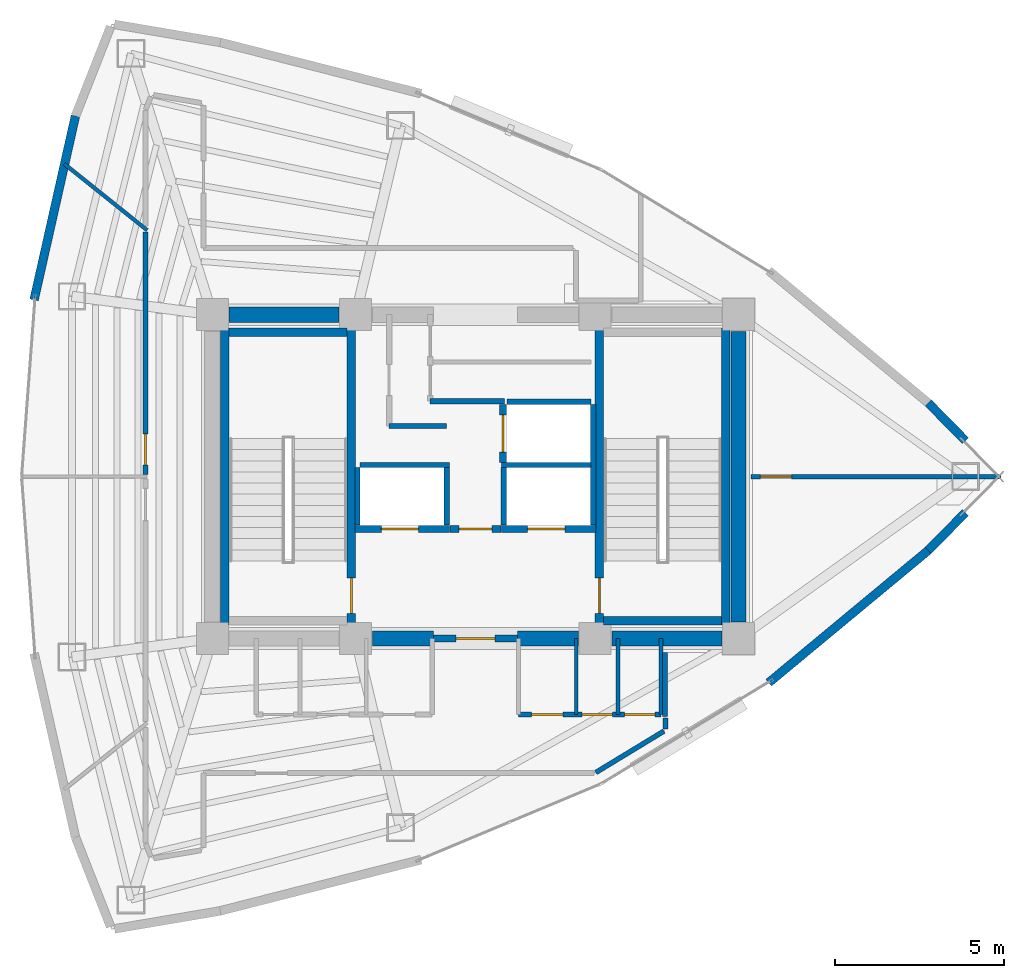
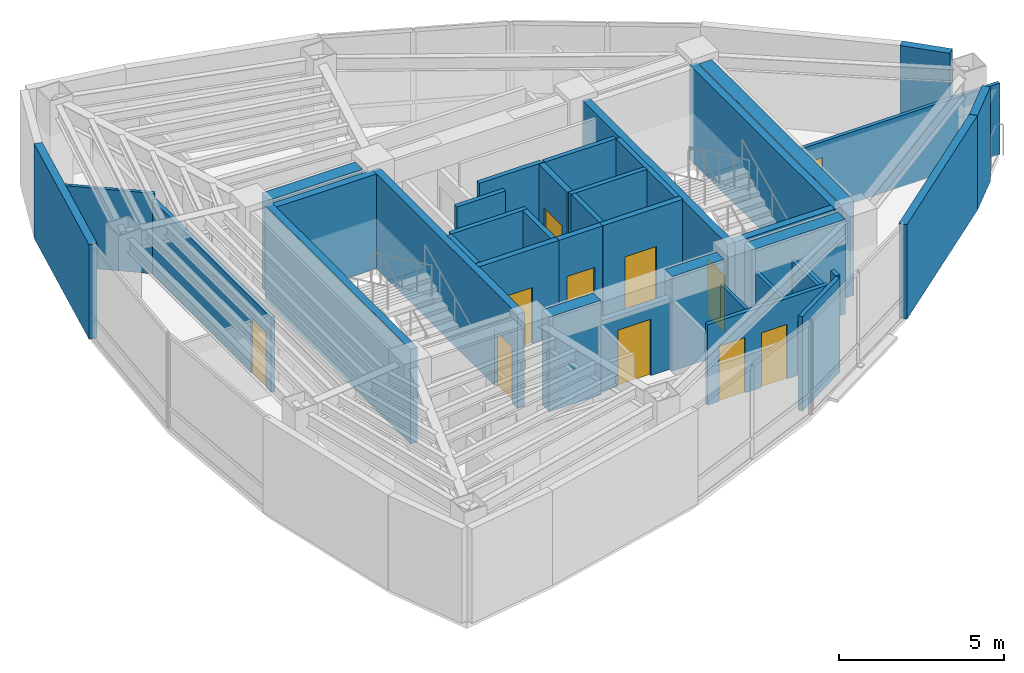
# One storey, part 12 of 15: 39 walls, 12 doors, 12 openings.
"""IFC4 building model written with IfcOpenShell, lengths in metres."""

import ifcopenshell
import ifcopenshell.guid

model = None  # the IFC model being written
_history = None  # IfcOwnerHistory: only IFC2X3 demands one
_inside = {}  # id of a spatial element -> (the spatial element, [elements in it])
_under = {}  # id of a project, library or spatial element -> (it, [spatial elements below it])
_declared = {}  # id of a project -> (the project, [libraries it declares])
_typed = {}  # id of a type object -> (the type object, [elements of that type])
_made_of = {}  # id of a material, layer set ... -> (it, [elements and type objects made of it])


def new_model(schema):
    """Start an empty IFC model of exactly this schema.

    Asked for "IFC4X3", IfcOpenShell would pick the latest addendum, in which some entities
    have other attributes; the version numbers below select the first issue.
    IFC2X3 requires an IfcOwnerHistory on every rooted entity: one is made here for all.
    """
    global model, _history
    if schema == "IFC4X3":
        model = ifcopenshell.file(schema_version=(4, 3, 0, 0))
    else:
        model = ifcopenshell.file(schema=schema)
    _inside.clear()
    _under.clear()
    _declared.clear()
    _typed.clear()
    _made_of.clear()
    _history = None
    if model.schema == "IFC2X3":
        org = make("IfcOrganization", Name="unknown")
        user = make(
            "IfcPersonAndOrganization",
            ThePerson=make("IfcPerson", FamilyName="unknown"),
            TheOrganization=org,
        )
        app = make(
            "IfcApplication",
            ApplicationDeveloper=org,
            Version="unknown",
            ApplicationFullName="unknown",
            ApplicationIdentifier="unknown",
        )
        _history = make(
            "IfcOwnerHistory",
            OwningUser=user,
            OwningApplication=app,
            ChangeAction="ADDED",
            CreationDate=0,
        )
    return model


def make(cls, **values):
    """One entity of the class cls with the attributes given. An attribute that is None is left unset."""
    return model.create_entity(
        cls, **{name: value for name, value in values.items() if value is not None}
    )


def rooted(cls, **values):
    """An entity with a GlobalId (a new one), such as an element, a storey or a relation."""
    return make(cls, GlobalId=ifcopenshell.guid.new(), OwnerHistory=_history, **values)


def si_unit(unit_type, name, prefix=None):
    """IfcSIUnit, for example si_unit("LENGTHUNIT", "METRE", prefix="MILLI")."""
    return make("IfcSIUnit", UnitType=unit_type, Prefix=prefix, Name=name)


def assignment(units):
    """IfcUnitAssignment: the units of a project."""
    return None if units is None else make("IfcUnitAssignment", Units=units)


def point(xyz):
    """IfcCartesianPoint."""
    return None if xyz is None else make("IfcCartesianPoint", Coordinates=xyz)


def direction(xyz):
    """IfcDirection."""
    return None if xyz is None else make("IfcDirection", DirectionRatios=xyz)


def frame(location, z_axis=None, x_axis=None):
    """IfcAxis2Placement3D, a coordinate frame: its origin and axes. An axis left out is left unset."""
    return make(
        "IfcAxis2Placement3D",
        Location=point(location),
        Axis=direction(z_axis),
        RefDirection=direction(x_axis),
    )


def frame_2d(location, x_axis=None):
    """IfcAxis2Placement2D, a coordinate frame in the plane: its origin and x axis."""
    return make(
        "IfcAxis2Placement2D", Location=point(location), RefDirection=direction(x_axis)
    )


def origin():
    """The frame at (0, 0, 0) with its axes left unset."""
    return frame((0.0, 0.0, 0.0))


def place(relative_to, where):
    """IfcLocalPlacement: puts the frame where relative to a parent placement (None: the world)."""
    return make(
        "IfcLocalPlacement", PlacementRelTo=relative_to, RelativePlacement=where
    )


def context(
    kind, dimensions, precision=None, world=None, true_north=None, identifier=None
):
    """IfcGeometricRepresentationContext, for example the 3D "Model" context."""
    return make(
        "IfcGeometricRepresentationContext",
        ContextIdentifier=identifier,
        ContextType=kind,
        CoordinateSpaceDimension=dimensions,
        Precision=precision,
        WorldCoordinateSystem=world,
        TrueNorth=true_north,
    )


def subcontext(parent, identifier, kind, view, scale=None):
    """IfcGeometricRepresentationSubContext, for example "Body" below "Model"."""
    return make(
        "IfcGeometricRepresentationSubContext",
        ContextIdentifier=identifier,
        ContextType=kind,
        ParentContext=parent,
        TargetScale=scale,
        TargetView=view,
    )


def project(units=None, contexts=None):
    """IfcProject with its units and contexts."""
    return rooted(
        "IfcProject",
        Name="project",
        RepresentationContexts=contexts,
        UnitsInContext=assignment(units),
    )


def spatial(cls, under=None, at=None, **own):
    """A site, building, storey or space (cls), placed at a placement, below another one or the project."""
    s = rooted(cls, ObjectPlacement=at, **own)
    if under is not None:
        _under.setdefault(under.id(), (under, []))[1].append(s)
    return s


def profile(cls, at=None, kind="AREA", **sizes):
    """A parametric profile (cls). Its sizes go by their IFC names, for example OverallWidth=200.0."""
    return make(cls, ProfileType=kind, Position=at, **sizes)


def rectangle(**sizes):
    """IfcRectangleProfileDef."""
    return profile("IfcRectangleProfileDef", **sizes)


def extrude(swept, where, along, depth):
    """IfcExtrudedAreaSolid: the profile swept, set in the frame where, extruded along a direction by depth."""
    return make(
        "IfcExtrudedAreaSolid",
        SweptArea=swept,
        Position=where,
        ExtrudedDirection=direction(along),
        Depth=depth,
    )


def shape(context_of_items, identifier, shape_type, items):
    """IfcShapeRepresentation: the items that make up one representation, for example the "Body"."""
    return make(
        "IfcShapeRepresentation",
        ContextOfItems=context_of_items,
        RepresentationIdentifier=identifier,
        RepresentationType=shape_type,
        Items=items,
    )


def material(Name=None, Category=None):
    """IfcMaterial."""
    return make("IfcMaterial", Name=Name, Category=Category)


def layer(
    of_material, thickness, ventilated=None, Name=None, Category=None, Priority=None
):
    """IfcMaterialLayer: one layer of a wall or slab, of a material (None: an air gap)."""
    return make(
        "IfcMaterialLayer",
        Material=of_material,
        LayerThickness=thickness,
        IsVentilated=ventilated,
        Name=Name,
        Category=Category,
        Priority=Priority,
    )


def layer_set(layers, Name=None):
    """IfcMaterialLayerSet."""
    return make("IfcMaterialLayerSet", MaterialLayers=layers, LayerSetName=Name)


def made_of(thing, what):
    """Note that an element or type object is made of a material, layer set ...; save() writes the relation."""
    if what is not None:
        _made_of.setdefault(what.id(), (what, []))[1].append(thing)
    return thing


def type_object(cls, material=None, **own):
    """A type object (cls), such as IfcWallType, which elements share."""
    return made_of(rooted(cls, **own), material)


def element(
    cls,
    number,
    at=None,
    inside=None,
    cuts=None,
    type_object=None,
    material=None,
    context=None,
    identifier="Body",
    shape_type=None,
    held_by="IfcProductDefinitionShape",
    body=None,
    shapes=None,
    **own,
):
    """One element of the class cls, such as IfcWall. Its Tag is "e" and its number.

    at: its placement. inside: the storey or other place that contains it. cuts: it is an
    opening in that element (IfcRelVoidsElement). A single representation is given by context,
    identifier, shape_type and body (its items); several are given by shapes. held_by: the class
    of the entity that holds the representations. save() writes the other relations.
    """
    e = rooted(cls, Tag="e%d" % number, ObjectPlacement=at, **own)
    if body is not None:
        shapes = [shape(context, identifier, shape_type, body)]
    if shapes is not None:
        e.Representation = make(held_by, Representations=shapes)
    if inside is not None:
        _inside.setdefault(inside.id(), (inside, []))[1].append(e)
    if cuts is not None:
        rooted(
            "IfcRelVoidsElement", RelatingBuildingElement=cuts, RelatedOpeningElement=e
        )
    if type_object is not None:
        _typed.setdefault(type_object.id(), (type_object, []))[1].append(e)
    return made_of(e, material)


def fill(opening, filler):
    """IfcRelFillsElement: the door or window that sits in an opening."""
    return rooted(
        "IfcRelFillsElement",
        RelatingOpeningElement=opening,
        RelatedBuildingElement=filler,
    )


def aggregate(whole, parts):
    """IfcRelAggregates: a whole, such as a stair, and the parts it consists of."""
    return rooted("IfcRelAggregates", RelatingObject=whole, RelatedObjects=parts)


def save(model, path):
    """Write the relations noted so far, then the file.

    IfcRelAggregates (storeys below a building ...), IfcRelContainedInSpatialStructure (elements
    in a storey), IfcRelDefinesByType, IfcRelAssociatesMaterial and IfcRelDeclares: one each for
    every whole, place, type object, material and project.
    """
    for whole, parts in _under.values():
        aggregate(whole, parts)
    for where, things in _inside.values():
        rooted(
            "IfcRelContainedInSpatialStructure",
            RelatedElements=things,
            RelatingStructure=where,
        )
    for kind, things in _typed.values():
        rooted("IfcRelDefinesByType", RelatedObjects=things, RelatingType=kind)
    for what, things in _made_of.values():
        rooted("IfcRelAssociatesMaterial", RelatedObjects=things, RelatingMaterial=what)
    for by, libraries in _declared.values():
        rooted("IfcRelDeclares", RelatingContext=by, RelatedDefinitions=libraries)
    model.write(path)


model = new_model("IFC4")

# Units and contexts
model_context = context("Model", 3, precision=1e-05, world=origin(), true_north=direction((0.0, 1.0)))
body_context = subcontext(model_context, "Body", "Model", "MODEL_VIEW")
ifc_project = project(units=[si_unit("LENGTHUNIT", "METRE"), si_unit("AREAUNIT", "SQUARE_METRE"), si_unit("VOLUMEUNIT", "CUBIC_METRE"), si_unit("PLANEANGLEUNIT", "RADIAN"), si_unit("MASSUNIT", "GRAM", prefix="KILO")], contexts=[model_context])

# Site, building, storey
site_placement = place(None, origin())
site = spatial("IfcSite", under=ifc_project, at=site_placement, CompositionType="ELEMENT")
building_placement = place(site_placement, origin())
building = spatial("IfcBuilding", under=site, at=building_placement, Name="Menara Vayukalpa", CompositionType="ELEMENT")
storey_placement = place(building_placement, frame((0.0, 0.0, 258.300048828125)))
storey = spatial("IfcBuildingStorey", under=building, at=storey_placement, Name="L65", CompositionType="ELEMENT", Elevation=258.300048828125)

# Walls
ifc_material_1 = material(Name="Concrete C50/60", Category="concrete")
ifc_layer_1 = layer(ifc_material_1, 0.449951171875)
ifc_layer_set_1 = layer_set([ifc_layer_1], Name="Concrete C50/60")
wall_type_1 = type_object("IfcWallType", Name="WAL-CW450", PredefinedType="SHEAR", material=ifc_layer_set_1)
wall_1_placement = place(storey_placement, frame((22.544921875, 17.199951171875, 0.0), z_axis=(0.0, 0.0, 1.0), x_axis=(1.0, 0.0, 0.0)))
element("IfcWall", 1, at=wall_1_placement, inside=storey, type_object=wall_type_1, Name="L65 Buttressed Core Shear Wall CWS2", PredefinedType="SHEAR", context=body_context, shape_type="SweptSolid", body=[
    extrude(rectangle(XDim=1.80517578125, YDim=0.449951171875, at=frame_2d((0.902587890625, 0.0))), origin(), (0.0, 0.0, 1.0), 3.5),
])
wall_2_placement = place(storey_placement, frame((26.85009765625, 17.199951171875, 0.0), z_axis=(0.0, 0.0, 1.0), x_axis=(1.0, 0.0, 0.0)))
element("IfcWall", 2, at=wall_2_placement, inside=storey, type_object=wall_type_1, Name="L65 Buttressed Core Shear Wall CWS3", PredefinedType="SHEAR", context=body_context, shape_type="SweptSolid", body=[
    extrude(rectangle(XDim=1.804931640625, YDim=0.449951171875, at=frame_2d((0.90234375, 0.0))), origin(), (0.0, 0.0, 1.0), 3.5),
])
for number, where, z_axis, x_axis, name in (
    (3, (29.64501953125, 17.199951171875, 0.0), (0.0, 0.0, 1.0), (1.0, 0.0, 0.0), "L65 Buttressed Core Shear Wall CWS4"),
    (4, (18.294921875, 26.800048828125, 0.0), (0.0, 0.0, 1.0), (1.0, 0.0, 0.0), "L65 Buttressed Core Shear Wall CWN1"),
):
    element("IfcWall", number, at=place(storey_placement, frame(where, z_axis=z_axis, x_axis=x_axis)), inside=storey, type_object=wall_type_1, Name=name, PredefinedType="SHEAR", context=body_context, shape_type="SweptSolid", body=[
        extrude(rectangle(XDim=3.260009765625, YDim=0.449951171875, at=frame_2d((1.6298828125, 0.0))), origin(), (0.0, 0.0, 1.0), 3.5),
    ])
wall_3_placement = place(storey_placement, frame((33.39990234375, 17.695068359375, 0.0), z_axis=(0.0, 0.0, 1.0), x_axis=(0.0, 1.0, 0.0)))
element("IfcWall", 5, at=wall_3_placement, inside=storey, type_object=wall_type_1, Name="L65 Buttressed Core Shear Wall CWE1", PredefinedType="SHEAR", context=body_context, shape_type="SweptSolid", body=[
    extrude(rectangle(XDim=8.60986328125, YDim=0.449951171875, at=frame_2d((4.304931640625, 0.0))), origin(), (0.0, 0.0, 1.0), 3.5),
])
ifc_material_2 = material(Name="Insulated Precast Concrete C40/50", Category="concrete")
ifc_layer_2 = layer(ifc_material_2, 0.260009765625)
ifc_layer_set_2 = layer_set([ifc_layer_2], Name="Insulated Precast Concrete C40/50")
wall_type_2 = type_object("IfcWallType", Name="WAL-EXT260", PredefinedType="PARTITIONING", material=ifc_layer_set_2)
for number, where, z_axis, x_axis, name in (
    (6, (40.1240234375, 20.932861328125, 0.0), (0.0, 0.0, 1.0), (-0.700470648387, -0.71368121087, 0.0), "L65 Perimeter Terracotta Pier Wall 01"),
    (7, (39.023681640625, 24.188232421875, 0.0), (0.0, 0.0, 1.0), (0.700470648387, -0.71368121087, 0.0), "L65 Perimeter Terracotta Pier Wall 02"),
):
    element("IfcWall", number, at=place(storey_placement, frame(where, z_axis=z_axis, x_axis=x_axis)), inside=storey, type_object=wall_type_2, Name=name, PredefinedType="PARTITIONING", context=body_context, shape_type="SweptSolid", body=[
        extrude(rectangle(XDim=1.57080078125, YDim=0.260009765625, at=frame_2d((0.785400390625, 0.0))), origin(), (0.0, 0.0, 1.0), 3.5),
    ])
wall_4_placement = place(storey_placement, frame((12.514892578125, 27.239501953125, 0.0), z_axis=(0.0, 0.0, 1.0), x_axis=(0.219500763731, 0.97561232809, 0.0)))
element("IfcWall", 8, at=wall_4_placement, inside=storey, type_object=wall_type_2, Name="L65 Perimeter Terracotta Pier Wall 09", PredefinedType="PARTITIONING", context=body_context, shape_type="SweptSolid", body=[
    extrude(rectangle(XDim=5.590087890625, YDim=0.260009765625, at=frame_2d((2.794921875, 0.0))), origin(), (0.0, 0.0, 1.0), 3.5),
])
wall_5_placement = place(storey_placement, frame((39.032470703125, 19.81982421875, 0.0), z_axis=(0.0, 0.0, 1.0), x_axis=(-0.769779830138, -0.638309496337, 0.0)))
element("IfcWall", 9, at=wall_5_placement, inside=storey, type_object=wall_type_2, Name="L65 Perimeter Terracotta Pier Wall 18", PredefinedType="PARTITIONING", context=body_context, shape_type="SweptSolid", body=[
    extrude(rectangle(XDim=6.154052734375, YDim=0.260009765625, at=frame_2d((3.0771484375, 0.0))), origin(), (0.0, 0.0, 1.0), 3.5),
])
ifc_material_3 = material(Name="Lightweight Concrete Blockwork C16/20", Category="masonry")
ifc_layer_3 = layer(ifc_material_3, 0.159912109375)
ifc_layer_set_3 = layer_set([ifc_layer_3], Name="Lightweight Concrete Blockwork C16/20")
wall_type_3 = type_object("IfcWallType", Name="WAL-FR150", PredefinedType="PARTITIONING", material=ifc_layer_set_3)
for number, where, z_axis, x_axis, name in (
    (10, (22.10498046875, 20.56005859375, 0.0), (0.0, 0.0, 1.0), (0.0, 1.0, 0.0), "L65 Interior Partition IW-L65-SHW-WW"),
    (11, (24.7548828125, 20.56005859375, 0.0), (0.0, 0.0, 1.0), (0.0, 1.0, 0.0), "L65 Interior Partition IW-L65-SHW-W1E"),
):
    element("IfcWall", number, at=place(storey_placement, frame(where, z_axis=z_axis, x_axis=x_axis)), inside=storey, type_object=wall_type_3, Name=name, PredefinedType="PARTITIONING", context=body_context, shape_type="SweptSolid", body=[
        extrude(rectangle(XDim=1.7099609375, YDim=0.159912109375, at=frame_2d((0.85498046875, 0.0))), origin(), (0.0, 0.0, 1.0), 3.5),
    ])
wall_6_placement = place(storey_placement, frame((22.179931640625, 22.344970703125, 0.0), z_axis=(0.0, 0.0, 1.0), x_axis=(1.0, 0.0, 0.0)))
element("IfcWall", 12, at=wall_6_placement, inside=storey, type_object=wall_type_3, Name="L65 Interior Partition IW-L65-SHM-W12", PredefinedType="PARTITIONING", context=body_context, shape_type="SweptSolid", body=[
    extrude(rectangle(XDim=2.650146484375, YDim=0.159912109375, at=frame_2d((1.3251953125, 0.0))), origin(), (0.0, 0.0, 1.0), 3.5),
])
wall_7_placement = place(storey_placement, frame((29.094970703125, 20.56005859375, 0.0), z_axis=(0.0, 0.0, 1.0), x_axis=(0.0, 1.0, 0.0)))
element("IfcWall", 13, at=wall_7_placement, inside=storey, type_object=wall_type_3, Name="L65 Interior Partition IW-L65-SHW-EE", PredefinedType="PARTITIONING", context=body_context, shape_type="SweptSolid", body=[
    extrude(rectangle(XDim=3.579833984375, YDim=0.159912109375, at=frame_2d((1.7900390625, 0.0))), origin(), (0.0, 0.0, 1.0), 3.5),
])
wall_8_placement = place(storey_placement, frame((26.445068359375, 20.56005859375, 0.0), z_axis=(0.0, 0.0, 1.0), x_axis=(0.0, 1.0, 0.0)))
element("IfcWall", 14, at=wall_8_placement, inside=storey, type_object=wall_type_3, Name="L65 Interior Partition IW-L65-SHW-E1W", PredefinedType="PARTITIONING", context=body_context, shape_type="SweptSolid", body=[
    extrude(rectangle(XDim=1.7099609375, YDim=0.159912109375, at=frame_2d((0.85498046875, 0.0))), origin(), (0.0, 0.0, 1.0), 3.5),
])
wall_9_placement = place(storey_placement, frame((26.3701171875, 22.344970703125, 0.0), z_axis=(0.0, 0.0, 1.0), x_axis=(1.0, 0.0, 0.0)))
element("IfcWall", 15, at=wall_9_placement, inside=storey, type_object=wall_type_3, Name="L65 Interior Partition IW-L65-SHM-E13", PredefinedType="PARTITIONING", context=body_context, shape_type="SweptSolid", body=[
    extrude(rectangle(XDim=2.64990234375, YDim=0.159912109375, at=frame_2d((1.324951171875, 0.0))), origin(), (0.0, 0.0, 1.0), 3.5),
])
wall_10_placement = place(storey_placement, frame((26.530029296875, 24.215087890625, 0.0), z_axis=(0.0, 0.0, 1.0), x_axis=(1.0, 0.0, 0.0)))
element("IfcWall", 16, at=wall_10_placement, inside=storey, type_object=wall_type_3, Name="L65 Interior Partition IW-L65-SHM-E32", PredefinedType="PARTITIONING", context=body_context, shape_type="SweptSolid", body=[
    extrude(rectangle(XDim=2.489990234375, YDim=0.159912109375, at=frame_2d((1.2451171875, 0.0))), origin(), (0.0, 0.0, 1.0), 3.5),
])
wall_11_placement = place(storey_placement, frame((23.0400390625, 23.5, 0.0), z_axis=(0.0, 0.0, 1.0), x_axis=(1.0, 0.0, 0.0)))
element("IfcWall", 17, at=wall_11_placement, inside=storey, type_object=wall_type_3, Name="L65 Interior Partition IW-L65-LV7WA", PredefinedType="PARTITIONING", context=body_context, shape_type="SweptSolid", body=[
    extrude(rectangle(XDim=1.699951171875, YDim=0.159912109375, at=frame_2d((0.85009765625, 0.0))), origin(), (0.0, 0.0, 1.0), 3.5),
])
wall_12_placement = place(storey_placement, frame((24.260009765625, 24.239990234375, 0.0), z_axis=(0.0, 0.0, 1.0), x_axis=(1.0, 0.0, 0.0)))
element("IfcWall", 18, at=wall_12_placement, inside=storey, type_object=wall_type_3, Name="L65 Interior Partition IW-L65-LV7EA", PredefinedType="PARTITIONING", context=body_context, shape_type="SweptSolid", body=[
    extrude(rectangle(XDim=2.199951171875, YDim=0.159912109375, at=frame_2d((1.10009765625, 0.0))), origin(), (0.0, 0.0, 1.0), 3.5),
])

# Wall, opening, door
ifc_material_4 = material(Name="Lightweight Concrete Blockwork C16/20", Category="masonry")
ifc_layer_4 = layer(ifc_material_4, 0.199951171875)
ifc_layer_set_4 = layer_set([ifc_layer_4], Name="Lightweight Concrete Blockwork C16/20")
wall_type_4 = type_object("IfcWallType", Name="WAL-FR200", PredefinedType="PARTITIONING", material=ifc_layer_set_4)
wall_13_placement = place(storey_placement, frame((24.35009765625, 17.199951171875, 0.0), z_axis=(0.0, 0.0, 1.0), x_axis=(1.0, 0.0, 0.0)))
wall_13 = element("IfcWall", 19, at=wall_13_placement, inside=storey, type_object=wall_type_4, Name="L65 Interior Partition IW-L65-FFLS", PredefinedType="PARTITIONING", context=body_context, shape_type="SweptSolid", body=[
    extrude(rectangle(XDim=2.5, YDim=0.199951171875, at=frame_2d((1.25, 0.0))), origin(), (0.0, 0.0, 1.0), 2.6298828125),
])
opening_1_placement = place(wall_13_placement, frame((0.679931640625, 0.0, 0.0)))
opening_1 = element("IfcOpeningElement", 20, at=opening_1_placement, cuts=wall_13, Name="Opening ID2", PredefinedType="OPENING", context=body_context, shape_type="SweptSolid", body=[
    extrude(rectangle(XDim=1.14990234375, YDim=2.080078125, at=frame_2d((0.574951171875, 1.0400390625))), frame((0.0, 0.10986328125, 0.0), z_axis=(0.0, -1.0, 0.0), x_axis=(1.0, 0.0, 0.0)), (0.0, 0.0, 1.0), 0.219970703125),
])
ifc_material_5 = material(Name="Fire-Rated Powder-Coated Steel Door", Category="steel")
door_type_1 = type_object("IfcDoorType", Name="DR-FD60W", OperationType="NOTDEFINED", PredefinedType="DOOR", material=ifc_material_5)
door_1_placement = place(opening_1_placement, origin())
door_1 = element("IfcDoor", 21, at=door_1_placement, inside=storey, type_object=door_type_1, Name="L65 Interior Door DR-L65-FFLS", OperationType="SINGLE_SWING_RIGHT", OverallHeight=2.080078125, OverallWidth=1.14990234375, PredefinedType="DOOR", context=body_context, shape_type="SweptSolid", body=[
    extrude(rectangle(XDim=1.14990234375, YDim=2.080078125, at=frame_2d((0.574951171875, 1.0400390625))), frame((0.0, 0.02490234375, 0.0), z_axis=(0.0, -1.0, 0.0), x_axis=(1.0, 0.0, 0.0)), (0.0, 0.0, 1.0), 0.050048828125),
])
fill(opening_1, door_1)

wall_14_placement = place(storey_placement, frame((24.840087890625, 20.449951171875, 0.0), z_axis=(0.0, 0.0, 1.0), x_axis=(1.0, 0.0, 0.0)))
wall_14 = element("IfcWall", 22, at=wall_14_placement, inside=storey, type_object=wall_type_4, Name="L65 Interior Partition IW-L65-FFLN", PredefinedType="PARTITIONING", context=body_context, shape_type="SweptSolid", body=[
    extrude(rectangle(XDim=1.52001953125, YDim=0.199951171875, at=frame_2d((0.760009765625, 0.0))), origin(), (0.0, 0.0, 1.0), 3.5),
])
opening_2_placement = place(wall_14_placement, frame((0.27001953125, 0.0, 0.0)))
opening_2 = element("IfcOpeningElement", 23, at=opening_2_placement, cuts=wall_14, Name="Opening ID3", PredefinedType="OPENING", context=body_context, shape_type="SweptSolid", body=[
    extrude(rectangle(XDim=0.97998046875, YDim=2.06005859375, at=frame_2d((0.489990234375, 1.030029296875))), frame((0.0, 0.10986328125, 0.0), z_axis=(0.0, -1.0, 0.0), x_axis=(1.0, 0.0, 0.0)), (0.0, 0.0, 1.0), 0.219970703125),
])
ifc_material_6 = material(Name="Fire-Rated Powder-Coated Steel Door", Category="steel")
door_type_2 = type_object("IfcDoorType", Name="DR-FD60", OperationType="NOTDEFINED", PredefinedType="DOOR", material=ifc_material_6)
door_2_placement = place(opening_2_placement, origin())
door_2 = element("IfcDoor", 24, at=door_2_placement, inside=storey, type_object=door_type_2, Name="L65 Interior Door DR-L65-FFLN", OperationType="SINGLE_SWING_LEFT", OverallHeight=2.06005859375, OverallWidth=0.97998046875, PredefinedType="DOOR", context=body_context, shape_type="SweptSolid", body=[
    extrude(rectangle(XDim=0.97998046875, YDim=2.06005859375, at=frame_2d((0.489990234375, 1.030029296875))), frame((0.0, 0.02490234375, 0.0), z_axis=(0.0, -1.0, 0.0), x_axis=(1.0, 0.0, 0.0)), (0.0, 0.0, 1.0), 0.050048828125),
])
fill(opening_2, door_2)

wall_15_placement = place(storey_placement, frame((22.030029296875, 20.449951171875, 0.0), z_axis=(0.0, 0.0, 1.0), x_axis=(1.0, 0.0, 0.0)))
wall_15 = element("IfcWall", 25, at=wall_15_placement, inside=storey, type_object=wall_type_4, Name="L65 Interior Partition IW-L65-SH-W1", PredefinedType="PARTITIONING", context=body_context, shape_type="SweptSolid", body=[
    extrude(rectangle(XDim=2.800048828125, YDim=0.199951171875, at=frame_2d((1.39990234375, 0.0))), origin(), (0.0, 0.0, 1.0), 3.5),
])
opening_3_placement = place(wall_15_placement, frame((0.780029296875, 0.0, 0.0)))
opening_3 = element("IfcOpeningElement", 26, at=opening_3_placement, cuts=wall_15, Name="Opening LD1", PredefinedType="OPENING", context=body_context, shape_type="SweptSolid", body=[
    extrude(rectangle(XDim=1.10009765625, YDim=2.080078125, at=frame_2d((0.550048828125, 1.0400390625))), frame((0.0, 0.10986328125, 0.0), z_axis=(0.0, -1.0, 0.0), x_axis=(1.0, 0.0, 0.0)), (0.0, 0.0, 1.0), 0.219970703125),
])
ifc_material_7 = material(Name="Brushed Stainless Steel 316 Lift Door", Category="steel")
door_type_3 = type_object("IfcDoorType", Name="DR-LD110", OperationType="NOTDEFINED", PredefinedType="DOOR", material=ifc_material_7)
door_3_placement = place(opening_3_placement, origin())
door_3 = element("IfcDoor", 27, at=door_3_placement, inside=storey, type_object=door_type_3, Name="L65 Interior Door DR-L65-LD-W1", OperationType="DOUBLE_DOOR_SLIDING", OverallHeight=2.080078125, OverallWidth=1.10009765625, PredefinedType="DOOR", context=body_context, shape_type="SweptSolid", body=[
    extrude(rectangle(XDim=1.10009765625, YDim=2.080078125, at=frame_2d((0.550048828125, 1.0400390625))), frame((0.0, 0.02490234375, 0.0), z_axis=(0.0, -1.0, 0.0), x_axis=(1.0, 0.0, 0.0)), (0.0, 0.0, 1.0), 0.050048828125),
])
fill(opening_3, door_3)

wall_16_placement = place(storey_placement, frame((26.3701171875, 20.449951171875, 0.0), z_axis=(0.0, 0.0, 1.0), x_axis=(1.0, 0.0, 0.0)))
wall_16 = element("IfcWall", 28, at=wall_16_placement, inside=storey, type_object=wall_type_4, Name="L65 Interior Partition IW-L65-SH-E1", PredefinedType="PARTITIONING", context=body_context, shape_type="SweptSolid", body=[
    extrude(rectangle(XDim=2.7998046875, YDim=0.199951171875, at=frame_2d((1.39990234375, 0.0))), origin(), (0.0, 0.0, 1.0), 3.5),
])
opening_4_placement = place(wall_16_placement, frame((0.780029296875, 0.0, 0.0)))
opening_4 = element("IfcOpeningElement", 29, at=opening_4_placement, cuts=wall_16, Name="Opening LD1", PredefinedType="OPENING", context=body_context, shape_type="SweptSolid", body=[
    extrude(rectangle(XDim=1.10009765625, YDim=2.080078125, at=frame_2d((0.550048828125, 1.0400390625))), frame((0.0, 0.10986328125, 0.0), z_axis=(0.0, -1.0, 0.0), x_axis=(1.0, 0.0, 0.0)), (0.0, 0.0, 1.0), 0.219970703125),
])
door_4_placement = place(opening_4_placement, origin())
door_4 = element("IfcDoor", 30, at=door_4_placement, inside=storey, type_object=door_type_3, Name="L65 Interior Door DR-L65-LD-E1", OperationType="DOUBLE_DOOR_SLIDING", OverallHeight=2.080078125, OverallWidth=1.10009765625, PredefinedType="DOOR", context=body_context, shape_type="SweptSolid", body=[
    extrude(rectangle(XDim=1.10009765625, YDim=2.080078125, at=frame_2d((0.550048828125, 1.0400390625))), frame((0.0, 0.02490234375, 0.0), z_axis=(0.0, -1.0, 0.0), x_axis=(1.0, 0.0, 0.0)), (0.0, 0.0, 1.0), 0.050048828125),
])
fill(opening_4, door_4)

wall_17_placement = place(storey_placement, frame((26.419921875, 22.419921875, 0.0), z_axis=(0.0, 0.0, 1.0), x_axis=(0.0, 1.0, 0.0)))
wall_17 = element("IfcWall", 31, at=wall_17_placement, inside=storey, type_object=wall_type_4, Name="L65 Interior Partition IW-L65-SH-E3", PredefinedType="PARTITIONING", context=body_context, shape_type="SweptSolid", body=[
    extrude(rectangle(XDim=1.719970703125, YDim=0.199951171875, at=frame_2d((0.85986328125, 0.0))), origin(), (0.0, 0.0, 1.0), 3.5),
])
opening_5_placement = place(wall_17_placement, frame((0.31005859375, 0.0, 0.0)))
opening_5 = element("IfcOpeningElement", 32, at=opening_5_placement, cuts=wall_17, Name="Opening LD1", PredefinedType="OPENING", context=body_context, shape_type="SweptSolid", body=[
    extrude(rectangle(XDim=1.10009765625, YDim=2.080078125, at=frame_2d((0.550048828125, 1.0400390625))), frame((0.0, 0.10986328125, 0.0), z_axis=(0.0, -1.0, 0.0), x_axis=(1.0, 0.0, 0.0)), (0.0, 0.0, 1.0), 0.219970703125),
])
door_5_placement = place(opening_5_placement, origin())
door_5 = element("IfcDoor", 33, at=door_5_placement, inside=storey, type_object=door_type_3, Name="L65 Interior Door DR-L65-LD-E3", OperationType="DOUBLE_DOOR_SLIDING", OverallHeight=2.080078125, OverallWidth=1.10009765625, PredefinedType="DOOR", context=body_context, shape_type="SweptSolid", body=[
    extrude(rectangle(XDim=1.10009765625, YDim=2.080078125, at=frame_2d((0.550048828125, 1.0400390625))), frame((0.0, 0.02490234375, 0.0), z_axis=(0.0, -1.0, 0.0), x_axis=(1.0, 0.0, 0.0)), (0.0, 0.0, 1.0), 0.050048828125),
])
fill(opening_5, door_5)

# Walls
ifc_material_8 = material(Name="Acoustic Mineral Stud Partition", Category="masonry")
ifc_layer_5 = layer(ifc_material_8, 0.110107421875)
ifc_layer_set_5 = layer_set([ifc_layer_5], Name="Acoustic Mineral Stud Partition")
wall_type_5 = type_object("IfcWallType", Name="WAL-PT110", PredefinedType="PARTITIONING", material=ifc_layer_set_5)
wall_18_placement = place(storey_placement, frame((28.590087890625, 14.949951171875, 0.0), z_axis=(0.0, 0.0, 1.0), x_axis=(0.0, 1.0, 0.0)))
element("IfcWall", 34, at=wall_18_placement, inside=storey, type_object=wall_type_5, Name="L65 Interior Partition IW-L65-SVCD-06", PredefinedType="PARTITIONING", context=body_context, shape_type="SweptSolid", body=[
    extrude(rectangle(XDim=2.25, YDim=0.110107421875, at=frame_2d((1.125, 0.0))), origin(), (0.0, 0.0, 1.0), 2.6298828125),
])
wall_19_placement = place(storey_placement, frame((13.41162109375, 31.270751953125, 0.0), z_axis=(0.0, 0.0, 1.0), x_axis=(0.780868809443, -0.624695047554, 0.0)))
element("IfcWall", 35, at=wall_19_placement, inside=storey, type_object=wall_type_5, Name="L65 Interior Partition IW-L65-RDIV05", PredefinedType="PARTITIONING", context=body_context, shape_type="SweptSolid", body=[
    extrude(rectangle(XDim=3.1484375, YDim=0.110107421875, at=frame_2d((1.57421875, 0.0))), origin(), (0.0, 0.0, 1.0), 2.97998046875),
])
ifc_material_9 = material(Name="Gypsum Drywall Steel Stud Assembly", Category="steel")
ifc_layer_6 = layer(ifc_material_9, 0.125)
ifc_layer_set_6 = layer_set([ifc_layer_6], Name="Gypsum Drywall Steel Stud Assembly")
wall_type_6 = type_object("IfcWallType", Name="WAL-PT125", PredefinedType="PARTITIONING", material=ifc_layer_set_6)
for number, where, z_axis, x_axis, name in (
    (36, (29.830078125, 14.949951171875, 0.0), (0.0, 0.0, 1.0), (0.0, 1.0, 0.0), "L65 Interior Partition IW-L65-SVCD-07"),
    (37, (31.10009765625, 14.949951171875, 0.0), (0.0, 0.0, 1.0), (0.0, 1.0, 0.0), "L65 Interior Partition IW-L65-SVCD-08"),
):
    element("IfcWall", number, at=place(storey_placement, frame(where, z_axis=z_axis, x_axis=x_axis)), inside=storey, type_object=wall_type_6, Name=name, PredefinedType="PARTITIONING", context=body_context, shape_type="SweptSolid", body=[
        extrude(rectangle(XDim=2.25, YDim=0.125, at=frame_2d((1.125, 0.0))), origin(), (0.0, 0.0, 1.0), 2.6298828125),
    ])

# Wall, opening, door
wall_20_placement = place(storey_placement, frame((33.77001953125, 22.0, 0.0), z_axis=(0.0, 0.0, 1.0), x_axis=(1.0, 0.0, 0.0)))
wall_20 = element("IfcWall", 38, at=wall_20_placement, inside=storey, type_object=wall_type_6, Name="L65 Interior Partition IW-L65-RDIV03", PredefinedType="PARTITIONING", context=body_context, shape_type="SweptSolid", body=[
    extrude(rectangle(XDim=7.411865234375, YDim=0.125, at=frame_2d((3.7060546875, 0.0))), origin(), (0.0, 0.0, 1.0), 2.6298828125),
])
opening_6_placement = place(wall_20_placement, frame((0.280029296875, 0.0, 0.0)))
opening_6 = element("IfcOpeningElement", 39, at=opening_6_placement, cuts=wall_20, Name="Opening ID6", PredefinedType="OPENING", context=body_context, shape_type="SweptSolid", body=[
    extrude(rectangle(XDim=0.919921875, YDim=2.050048828125, at=frame_2d((0.4599609375, 1.02490234375))), frame((0.0, 0.072509765625, 0.0), z_axis=(0.0, -1.0, 0.0), x_axis=(1.0, 0.0, 0.0)), (0.0, 0.0, 1.0), 0.14501953125),
])
ifc_material_10 = material(Name="Acoustic Hardwood Veneer Timber Door", Category="wood")
door_type_4 = type_object("IfcDoorType", Name="DR-INT92", OperationType="NOTDEFINED", PredefinedType="DOOR", material=ifc_material_10)
door_6_placement = place(opening_6_placement, origin())
door_6 = element("IfcDoor", 40, at=door_6_placement, inside=storey, type_object=door_type_4, Name="L65 Interior Door DR-L65-STE04", OperationType="SINGLE_SWING_LEFT", OverallHeight=2.050048828125, OverallWidth=0.919921875, PredefinedType="DOOR", context=body_context, shape_type="SweptSolid", body=[
    extrude(rectangle(XDim=0.919921875, YDim=2.050048828125, at=frame_2d((0.4599609375, 1.02490234375))), frame((0.0, 0.02490234375, 0.0), z_axis=(0.0, -1.0, 0.0), x_axis=(1.0, 0.0, 0.0)), (0.0, 0.0, 1.0), 0.050048828125),
])
fill(opening_6, door_6)

# Wall, openings, doors
ifc_material_11 = material(Name="Gypsum Drywall Acoustic Stud Assembly", Category="masonry")
ifc_layer_7 = layer(ifc_material_11, 0.14501953125)
ifc_layer_set_7 = layer_set([ifc_layer_7], Name="Gypsum Drywall Acoustic Stud Assembly")
wall_type_7 = type_object("IfcWallType", Name="WAL-PT150", PredefinedType="PARTITIONING", material=ifc_layer_set_7)
wall_21_placement = place(storey_placement, frame((26.8798828125, 14.949951171875, 0.0), z_axis=(0.0, 0.0, 1.0), x_axis=(1.0, 0.0, 0.0)))
wall_21 = element("IfcWall", 41, at=wall_21_placement, inside=storey, type_object=wall_type_7, Name="L65 Interior Partition IW-L65-SVCS-E", PredefinedType="PARTITIONING", context=body_context, shape_type="SweptSolid", body=[
    extrude(rectangle(XDim=4.22021484375, YDim=0.14501953125, at=frame_2d((2.110107421875, 0.0))), origin(), (0.0, 0.0, 1.0), 2.97998046875),
])
opening_7_placement = place(wall_21_placement, frame((0.389892578125, 0.0, 0.0)))
opening_7 = element("IfcOpeningElement", 42, at=opening_7_placement, cuts=wall_21, Name="Opening ID6", PredefinedType="OPENING", context=body_context, shape_type="SweptSolid", body=[
    extrude(rectangle(XDim=0.919921875, YDim=2.050048828125, at=frame_2d((0.4599609375, 1.02490234375))), frame((0.0, 0.08251953125, 0.0), z_axis=(0.0, -1.0, 0.0), x_axis=(1.0, 0.0, 0.0)), (0.0, 0.0, 1.0), 0.1650390625),
])
opening_8_placement = place(wall_21_placement, frame((1.8798828125, 0.0, 0.0)))
opening_8 = element("IfcOpeningElement", 43, at=opening_8_placement, cuts=wall_21, Name="Opening ID7", PredefinedType="OPENING", context=body_context, shape_type="SweptSolid", body=[
    extrude(rectangle(XDim=0.89990234375, YDim=2.02001953125, at=frame_2d((0.449951171875, 1.010009765625))), frame((0.0, 0.08251953125, 0.0), z_axis=(0.0, -1.0, 0.0), x_axis=(1.0, 0.0, 0.0)), (0.0, 0.0, 1.0), 0.1650390625),
])
opening_9_placement = place(wall_21_placement, frame((3.139892578125, 0.0, 0.0)))
opening_9 = element("IfcOpeningElement", 44, at=opening_9_placement, cuts=wall_21, Name="Opening ID7", PredefinedType="OPENING", context=body_context, shape_type="SweptSolid", body=[
    extrude(rectangle(XDim=0.89990234375, YDim=2.02001953125, at=frame_2d((0.449951171875, 1.010009765625))), frame((0.0, 0.08251953125, 0.0), z_axis=(0.0, -1.0, 0.0), x_axis=(1.0, 0.0, 0.0)), (0.0, 0.0, 1.0), 0.1650390625),
])
door_7_placement = place(opening_7_placement, origin())
door_7 = element("IfcDoor", 45, at=door_7_placement, inside=storey, type_object=door_type_4, Name="L65 Interior Door DR-L65-KSV1", OperationType="SINGLE_SWING_RIGHT", OverallHeight=2.050048828125, OverallWidth=0.919921875, PredefinedType="DOOR", context=body_context, shape_type="SweptSolid", body=[
    extrude(rectangle(XDim=0.919921875, YDim=2.050048828125, at=frame_2d((0.4599609375, 1.02490234375))), frame((0.0, 0.02490234375, 0.0), z_axis=(0.0, -1.0, 0.0), x_axis=(1.0, 0.0, 0.0)), (0.0, 0.0, 1.0), 0.050048828125),
])
fill(opening_7, door_7)
ifc_material_12 = material(Name="Powder-Coated Steel Riser Access Door", Category="steel")
door_type_5 = type_object("IfcDoorType", Name="DR-RISER", OperationType="NOTDEFINED", PredefinedType="DOOR", material=ifc_material_12)
door_8_placement = place(opening_8_placement, origin())
door_8 = element("IfcDoor", 46, at=door_8_placement, inside=storey, type_object=door_type_5, Name="L65 Interior Door DR-L65-KSV2", OperationType="SINGLE_SWING_LEFT", OverallHeight=2.02001953125, OverallWidth=0.89990234375, PredefinedType="DOOR", context=body_context, shape_type="SweptSolid", body=[
    extrude(rectangle(XDim=0.89990234375, YDim=2.02001953125, at=frame_2d((0.449951171875, 1.010009765625))), frame((0.0, 0.02490234375, 0.0), z_axis=(0.0, -1.0, 0.0), x_axis=(1.0, 0.0, 0.0)), (0.0, 0.0, 1.0), 0.050048828125),
])
fill(opening_8, door_8)
door_9_placement = place(opening_9_placement, origin())
door_9 = element("IfcDoor", 47, at=door_9_placement, inside=storey, type_object=door_type_5, Name="L65 Interior Door DR-L65-SMD", OperationType="SINGLE_SWING_RIGHT", OverallHeight=2.02001953125, OverallWidth=0.89990234375, PredefinedType="DOOR", context=body_context, shape_type="SweptSolid", body=[
    extrude(rectangle(XDim=0.89990234375, YDim=2.02001953125, at=frame_2d((0.449951171875, 1.010009765625))), frame((0.0, 0.02490234375, 0.0), z_axis=(0.0, -1.0, 0.0), x_axis=(1.0, 0.0, 0.0)), (0.0, 0.0, 1.0), 0.050048828125),
])
fill(opening_9, door_9)

# Walls
wall_22_placement = place(storey_placement, frame((29.167724609375, 13.228515625, 0.0), z_axis=(0.0, 0.0, 1.0), x_axis=(0.854678044033, 0.519158396876, 0.0)))
element("IfcWall", 48, at=wall_22_placement, inside=storey, type_object=wall_type_7, Name="L65 Interior Partition IW-L65-CRM03-6", PredefinedType="PARTITIONING", context=body_context, shape_type="SweptSolid", body=[
    extrude(rectangle(XDim=2.36767578125, YDim=0.14501953125, at=frame_2d((1.183837890625, 0.0))), origin(), (0.0, 0.0, 1.0), 3.5),
])
wall_23_placement = place(storey_placement, frame((31.22998046875, 14.526123046875, 0.0), z_axis=(0.0, 0.0, 1.0), x_axis=(0.0, 1.0, 0.0)))
element("IfcWall", 49, at=wall_23_placement, inside=storey, type_object=wall_type_7, Name="L65 Interior Partition IW-L65-CRM03-7", PredefinedType="PARTITIONING", context=body_context, shape_type="SweptSolid", body=[
    extrude(rectangle(XDim=0.323974609375, YDim=0.14501953125, at=frame_2d((0.162109375, 0.0))), origin(), (0.0, 0.0, 1.0), 3.5),
])
wall_24_placement = place(storey_placement, frame((31.219970703125, 14.888671875, 0.0), z_axis=(0.0, 0.0, 1.0), x_axis=(0.0, 1.0, 0.0)))
element("IfcWall", 50, at=wall_24_placement, inside=storey, type_object=wall_type_7, Name="L65 Interior Partition IW-L65-CRM03-8", PredefinedType="PARTITIONING", context=body_context, shape_type="SweptSolid", body=[
    extrude(rectangle(XDim=1.891357421875, YDim=0.14501953125, at=frame_2d((0.94580078125, 0.0))), origin(), (0.0, 0.0, 1.0), 2.6298828125),
])

# Wall, opening, door
wall_25_placement = place(storey_placement, frame((15.820068359375, 29.25439453125, 0.0), z_axis=(0.0, 0.0, 1.0), x_axis=(0.0, -1.0, 0.0)))
wall_25 = element("IfcWall", 51, at=wall_25_placement, inside=storey, type_object=wall_type_7, Name="L65 Interior Partition IW-L65-CRM06-1", PredefinedType="PARTITIONING", context=body_context, shape_type="SweptSolid", body=[
    extrude(rectangle(XDim=7.184326171875, YDim=0.14501953125, at=frame_2d((3.59228515625, 0.0))), origin(), (0.0, 0.0, 1.0), 2.780029296875),
])
opening_10_placement = place(wall_25_placement, frame((5.984375, 0.0, 0.0)))
opening_10 = element("IfcOpeningElement", 52, at=opening_10_placement, cuts=wall_25, Name="Opening ID6", PredefinedType="OPENING", context=body_context, shape_type="SweptSolid", body=[
    extrude(rectangle(XDim=0.919921875, YDim=2.050048828125, at=frame_2d((0.4599609375, 1.02490234375))), frame((0.0, 0.08251953125, 0.0), z_axis=(0.0, -1.0, 0.0), x_axis=(1.0, 0.0, 0.0)), (0.0, 0.0, 1.0), 0.1650390625),
])
door_10_placement = place(opening_10_placement, origin())
door_10 = element("IfcDoor", 53, at=door_10_placement, inside=storey, type_object=door_type_4, Name="L65 Interior Door DR-L65-RM06", OperationType="SINGLE_SWING_RIGHT", OverallHeight=2.050048828125, OverallWidth=0.919921875, PredefinedType="DOOR", context=body_context, shape_type="SweptSolid", body=[
    extrude(rectangle(XDim=0.919921875, YDim=2.050048828125, at=frame_2d((0.4599609375, 1.02490234375))), frame((0.0, 0.02490234375, 0.0), z_axis=(0.0, -1.0, 0.0), x_axis=(1.0, 0.0, 0.0)), (0.0, 0.0, 1.0), 0.050048828125),
])
fill(opening_10, door_10)

# Wall
ifc_material_13 = material(Name="Concrete C50/60", Category="concrete")
ifc_layer_8 = layer(ifc_material_13, 0.25)
ifc_layer_set_8 = layer_set([ifc_layer_8], Name="Concrete C50/60")
wall_type_8 = type_object("IfcWallType", Name="WAL-SW250", PredefinedType="SHEAR", material=ifc_layer_set_8)
wall_26_placement = place(storey_placement, frame((18.175048828125, 17.60009765625, 0.0), z_axis=(0.0, 0.0, 1.0), x_axis=(0.0, 1.0, 0.0)))
element("IfcWall", 54, at=wall_26_placement, inside=storey, type_object=wall_type_8, Name="L65 ST1 Structural Stair Shaft Wall W", PredefinedType="SHEAR", context=body_context, shape_type="SweptSolid", body=[
    extrude(rectangle(XDim=8.7998046875, YDim=0.25, at=frame_2d((4.39990234375, 0.0))), origin(), (0.0, 0.0, 1.0), 3.5),
])

# Wall, opening, door
wall_27_placement = place(storey_placement, frame((21.925048828125, 17.60009765625, 0.0), z_axis=(0.0, 0.0, 1.0), x_axis=(0.0, 1.0, 0.0)))
wall_27 = element("IfcWall", 55, at=wall_27_placement, inside=storey, type_object=wall_type_8, Name="L65 ST1 Structural Stair Shaft Wall E", PredefinedType="SHEAR", context=body_context, shape_type="SweptSolid", body=[
    extrude(rectangle(XDim=8.7998046875, YDim=0.25, at=frame_2d((4.39990234375, 0.0))), origin(), (0.0, 0.0, 1.0), 3.5),
])
opening_11_placement = place(wall_27_placement, frame((0.35009765625, 0.0, 0.0)))
opening_11 = element("IfcOpeningElement", 56, at=opening_11_placement, cuts=wall_27, Name="Opening ID1", PredefinedType="OPENING", context=body_context, shape_type="SweptSolid", body=[
    extrude(rectangle(XDim=1.050048828125, YDim=2.080078125, at=frame_2d((0.52490234375, 1.0400390625))), frame((0.0, 0.135009765625, 0.0), z_axis=(0.0, -1.0, 0.0), x_axis=(1.0, 0.0, 0.0)), (0.0, 0.0, 1.0), 0.27001953125),
])
ifc_material_14 = material(Name="Fire-Rated Powder-Coated Steel Door", Category="steel")
door_type_6 = type_object("IfcDoorType", Name="DR-FD120", OperationType="NOTDEFINED", PredefinedType="DOOR", material=ifc_material_14)
door_11_placement = place(opening_11_placement, origin())
door_11 = element("IfcDoor", 57, at=door_11_placement, inside=storey, type_object=door_type_6, Name="L65 Stair Exit Door DR-L65-ST1", OperationType="SINGLE_SWING_LEFT", OverallHeight=2.080078125, OverallWidth=1.050048828125, PredefinedType="DOOR", context=body_context, shape_type="SweptSolid", body=[
    extrude(rectangle(XDim=1.050048828125, YDim=2.080078125, at=frame_2d((0.52490234375, 1.0400390625))), frame((0.0, 0.02490234375, 0.0), z_axis=(0.0, -1.0, 0.0), x_axis=(1.0, 0.0, 0.0)), (0.0, 0.0, 1.0), 0.050048828125),
])
fill(opening_11, door_11)

# Wall
wall_28_placement = place(storey_placement, frame((18.300048828125, 26.27490234375, 0.0), z_axis=(0.0, 0.0, 1.0), x_axis=(1.0, 0.0, 0.0)))
element("IfcWall", 58, at=wall_28_placement, inside=storey, type_object=wall_type_8, Name="L65 ST1 Structural Stair Shaft Wall N", PredefinedType="SHEAR", context=body_context, shape_type="SweptSolid", body=[
    extrude(rectangle(XDim=3.5, YDim=0.25, at=frame_2d((1.75, 0.0))), origin(), (0.0, 0.0, 1.0), 3.5),
])

# Wall, opening, door
wall_29_placement = place(storey_placement, frame((29.27490234375, 17.60009765625, 0.0), z_axis=(0.0, 0.0, 1.0), x_axis=(0.0, 1.0, 0.0)))
wall_29 = element("IfcWall", 59, at=wall_29_placement, inside=storey, type_object=wall_type_8, Name="L65 ST2 Structural Stair Shaft Wall W", PredefinedType="SHEAR", context=body_context, shape_type="SweptSolid", body=[
    extrude(rectangle(XDim=8.7998046875, YDim=0.25, at=frame_2d((4.39990234375, 0.0))), origin(), (0.0, 0.0, 1.0), 3.5),
])
opening_12_placement = place(wall_29_placement, frame((0.35009765625, 0.0, 0.0)))
opening_12 = element("IfcOpeningElement", 60, at=opening_12_placement, cuts=wall_29, Name="Opening ID1", PredefinedType="OPENING", context=body_context, shape_type="SweptSolid", body=[
    extrude(rectangle(XDim=1.050048828125, YDim=2.080078125, at=frame_2d((0.52490234375, 1.0400390625))), frame((0.0, 0.135009765625, 0.0), z_axis=(0.0, -1.0, 0.0), x_axis=(1.0, 0.0, 0.0)), (0.0, 0.0, 1.0), 0.27001953125),
])
door_12_placement = place(opening_12_placement, origin())
door_12 = element("IfcDoor", 61, at=door_12_placement, inside=storey, type_object=door_type_6, Name="L65 Stair Exit Door DR-L65-ST2", OperationType="SINGLE_SWING_RIGHT", OverallHeight=2.080078125, OverallWidth=1.050048828125, PredefinedType="DOOR", context=body_context, shape_type="SweptSolid", body=[
    extrude(rectangle(XDim=1.050048828125, YDim=2.080078125, at=frame_2d((0.52490234375, 1.0400390625))), frame((0.0, 0.02490234375, 0.0), z_axis=(0.0, -1.0, 0.0), x_axis=(1.0, 0.0, 0.0)), (0.0, 0.0, 1.0), 0.050048828125),
])
fill(opening_12, door_12)

# Walls
wall_30_placement = place(storey_placement, frame((33.02490234375, 17.60009765625, 0.0), z_axis=(0.0, 0.0, 1.0), x_axis=(0.0, 1.0, 0.0)))
element("IfcWall", 62, at=wall_30_placement, inside=storey, type_object=wall_type_8, Name="L65 ST2 Structural Stair Shaft Wall E", PredefinedType="SHEAR", context=body_context, shape_type="SweptSolid", body=[
    extrude(rectangle(XDim=8.7998046875, YDim=0.25, at=frame_2d((4.39990234375, 0.0))), origin(), (0.0, 0.0, 1.0), 3.5),
])
wall_31_placement = place(storey_placement, frame((29.39990234375, 17.72509765625, 0.0), z_axis=(0.0, 0.0, 1.0), x_axis=(1.0, 0.0, 0.0)))
element("IfcWall", 63, at=wall_31_placement, inside=storey, type_object=wall_type_8, Name="L65 ST2 Structural Stair Shaft Wall S", PredefinedType="SHEAR", context=body_context, shape_type="SweptSolid", body=[
    extrude(rectangle(XDim=3.5, YDim=0.25, at=frame_2d((1.75, 0.0))), origin(), (0.0, 0.0, 1.0), 3.5),
])

save(model, "model.ifc")
